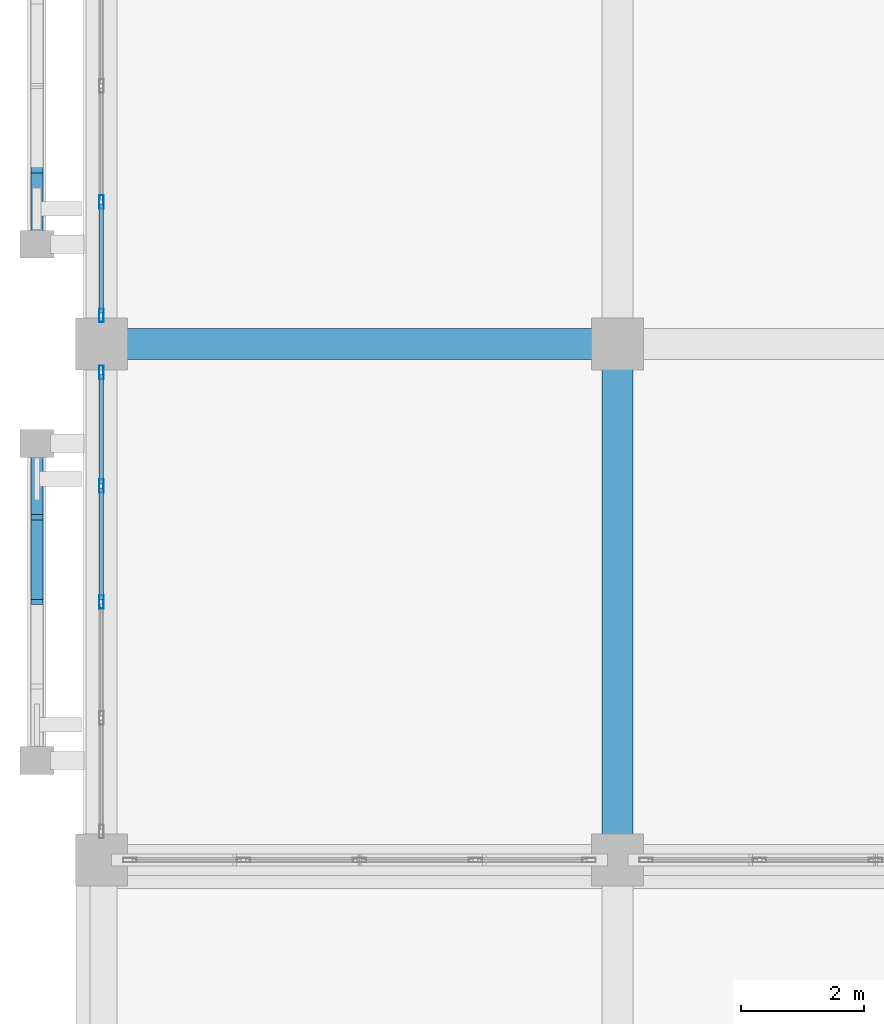
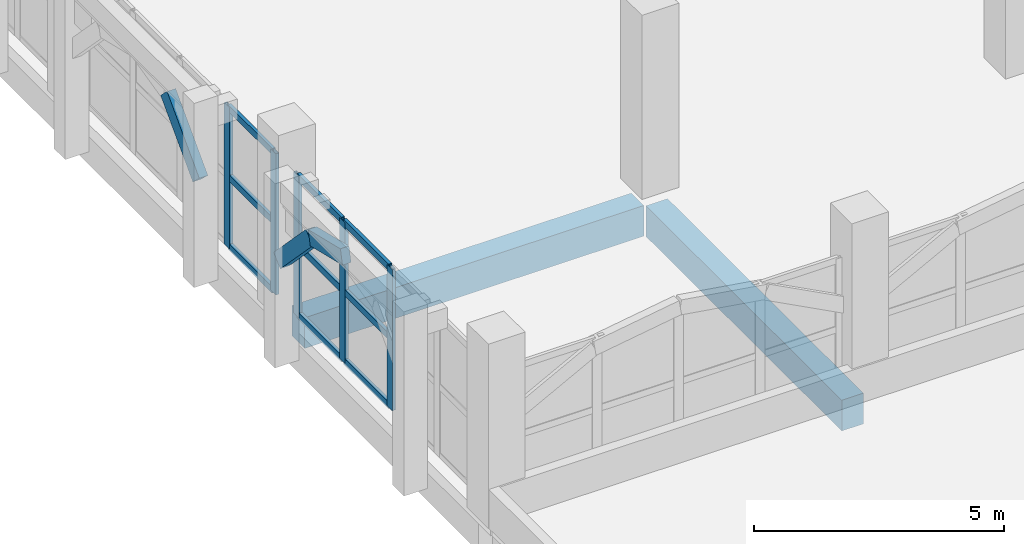
# One storey, part 40 of 129: 17 members, 2 beams, 2 elements without a shape of their own.
"""IFC4 building model written with IfcOpenShell, lengths in metres."""

from ifc_helpers import new_model, si_unit, direction, frame, origin, origin_2d, place, context, subcontext, project, spatial, rectangle, hollow_rectangle, extrude, material, layer, layer_set, material_profile, profile_set, type_object, element, aggregate, save


model = new_model("IFC4")

# Units and contexts
model_context = context("Model", 3, precision=1e-05, world=origin(), true_north=direction((0.0, 1.0)))
body_context = subcontext(model_context, "Body", "Model", "MODEL_VIEW")
ifc_project = project(units=[si_unit("LENGTHUNIT", "METRE"), si_unit("AREAUNIT", "SQUARE_METRE"), si_unit("VOLUMEUNIT", "CUBIC_METRE"), si_unit("PLANEANGLEUNIT", "RADIAN"), si_unit("MASSUNIT", "GRAM", prefix="KILO")], contexts=[model_context])

# Site, building, storey
site_placement = place(None, origin())
site = spatial("IfcSite", under=ifc_project, at=site_placement, CompositionType="ELEMENT")
building_placement = place(site_placement, origin())
building = spatial("IfcBuilding", under=site, at=building_placement, Name="Xazarin Passage Department Store", CompositionType="ELEMENT")
storey_placement = place(building_placement, frame((0.0, 0.0, 9.89990234375)))
storey = spatial("IfcBuildingStorey", under=building, at=storey_placement, Name="L02", CompositionType="ELEMENT", Elevation=9.89990234375)

# Curtain wall, members
ifc_material_1 = material(Name="Bronze anodised aluminium", Category="aluminium")
ifc_layer = layer(ifc_material_1, 0.199951171875)
ifc_layer_set = layer_set([ifc_layer], Name="Bronze anodised aluminium")
curtain_wall_type = type_object("IfcCurtainWallType", Name="ARC-CW-VIT2", PredefinedType="NOTDEFINED", material=ifc_layer_set)
curtain_wall_1_placement = place(storey_placement, origin())
curtain_wall_1 = element("IfcCurtainWall", 1, at=curtain_wall_1_placement, inside=storey, type_object=curtain_wall_type, Name="L02 V1 Curtain Wall 045", PredefinedType="NOTDEFINED")
ifc_material_profile_1 = material_profile(ifc_material_1, hollow_rectangle(XDim=0.074951171875, YDim=0.219970703125, WallThickness=0.0048828125, at=origin_2d()), Name="ALU 75x220")
ifc_profile_set_1 = profile_set([ifc_material_profile_1], Name="Bronze anodised aluminium")
member_type_1 = type_object("IfcMemberType", Name="ARC-CWM-75x220", PredefinedType="MULLION", material=ifc_profile_set_1)
member_1_placement = place(storey_placement, frame((0.0, 63.800048828125, 0.0), z_axis=(0.0, 0.0, 1.0), x_axis=(-1.0, 0.0, 0.0)))
member_1 = element("IfcMember", 2, at=member_1_placement, type_object=member_type_1, Name="CW2 mullion 3", PredefinedType="MULLION", context=body_context, shape_type="SweptSolid", body=[
    extrude(hollow_rectangle(XDim=0.074951171875, YDim=0.219970703125, WallThickness=0.0048828125, at=origin_2d()), origin(), (0.0, 0.0, 1.0), 3.4501953125),
])
member_2_placement = place(storey_placement, frame((0.0, 65.6875, 0.0), z_axis=(0.0, 0.0, 1.0), x_axis=(-1.0, 0.0, 0.0)))
member_2 = element("IfcMember", 3, at=member_2_placement, type_object=member_type_1, Name="CW2 mullion 4", PredefinedType="MULLION", context=body_context, shape_type="SweptSolid", body=[
    extrude(hollow_rectangle(XDim=0.074951171875, YDim=0.219970703125, WallThickness=0.0048828125, at=origin_2d()), origin(), (0.0, 0.0, 1.0), 3.4501953125),
])
member_3_placement = place(storey_placement, frame((0.0, 67.53759765625, 0.0), z_axis=(0.0, 0.0, 1.0), x_axis=(-1.0, 0.0, 0.0)))
member_3 = element("IfcMember", 4, at=member_3_placement, type_object=member_type_1, Name="CW2 mullion 5", PredefinedType="MULLION", context=body_context, shape_type="SweptSolid", body=[
    extrude(hollow_rectangle(XDim=0.074951171875, YDim=0.219970703125, WallThickness=0.0048828125, at=origin_2d()), origin(), (0.0, 0.0, 1.0), 3.4501953125),
])

curtain_wall_2_placement = place(storey_placement, origin())
curtain_wall_2 = element("IfcCurtainWall", 5, at=curtain_wall_2_placement, inside=storey, type_object=curtain_wall_type, Name="L02 V1 Curtain Wall 046", PredefinedType="NOTDEFINED")
member_4_placement = place(storey_placement, frame((0.0, 68.46240234375, 0.0), z_axis=(0.0, 0.0, 1.0), x_axis=(-1.0, 0.0, 0.0)))
member_4 = element("IfcMember", 6, at=member_4_placement, type_object=member_type_1, Name="CW2 mullion 1", PredefinedType="MULLION", context=body_context, shape_type="SweptSolid", body=[
    extrude(hollow_rectangle(XDim=0.074951171875, YDim=0.219970703125, WallThickness=0.0048828125, at=origin_2d()), origin(), (0.0, 0.0, 1.0), 3.4501953125),
])
member_5_placement = place(storey_placement, frame((0.0, 70.3125, 0.0), z_axis=(0.0, 0.0, 1.0), x_axis=(-1.0, 0.0, 0.0)))
member_5 = element("IfcMember", 7, at=member_5_placement, type_object=member_type_1, Name="CW2 mullion 2", PredefinedType="MULLION", context=body_context, shape_type="SweptSolid", body=[
    extrude(hollow_rectangle(XDim=0.074951171875, YDim=0.219970703125, WallThickness=0.0048828125, at=origin_2d()), origin(), (0.0, 0.0, 1.0), 3.4501953125),
])

# Member
ifc_material_profile_2 = material_profile(ifc_material_1, hollow_rectangle(XDim=0.074951171875, YDim=0.159912109375, WallThickness=0.00439453125, at=origin_2d()), Name="ALU 75x160")
ifc_profile_set_2 = profile_set([ifc_material_profile_2], Name="Bronze anodised aluminium")
member_type_2 = type_object("IfcMemberType", Name="ARC-CWT-75x160", PredefinedType="USERDEFINED", material=ifc_profile_set_2)
member_6_placement = place(storey_placement, frame((0.0, 63.83740234375, 0.03759765625), z_axis=(0.0, 1.0, 0.0), x_axis=(-1.0, 0.0, 0.0)))
member_6 = element("IfcMember", 8, at=member_6_placement, type_object=member_type_2, Name="CW2 transom 3.1", ObjectType="TRANSOM", PredefinedType="USERDEFINED", context=body_context, shape_type="SweptSolid", body=[
    extrude(hollow_rectangle(XDim=0.074951171875, YDim=0.159912109375, WallThickness=0.00439453125, at=origin_2d()), origin(), (0.0, 0.0, 1.0), 1.8125),
])

member_7_placement = place(storey_placement, frame((0.0, 63.83740234375, 1.72509765625), z_axis=(0.0, 1.0, 0.0), x_axis=(-1.0, 0.0, 0.0)))
member_7 = element("IfcMember", 9, at=member_7_placement, type_object=member_type_2, Name="CW2 transom 3.2", ObjectType="TRANSOM", PredefinedType="USERDEFINED", context=body_context, shape_type="SweptSolid", body=[
    extrude(hollow_rectangle(XDim=0.074951171875, YDim=0.159912109375, WallThickness=0.00439453125, at=origin_2d()), origin(), (0.0, 0.0, 1.0), 1.8125),
])

member_8_placement = place(storey_placement, frame((0.0, 63.83740234375, 3.41259765625), z_axis=(0.0, 1.0, 0.0), x_axis=(-1.0, 0.0, 0.0)))
member_8 = element("IfcMember", 10, at=member_8_placement, type_object=member_type_2, Name="CW2 transom 3.3", ObjectType="TRANSOM", PredefinedType="USERDEFINED", context=body_context, shape_type="SweptSolid", body=[
    extrude(hollow_rectangle(XDim=0.074951171875, YDim=0.159912109375, WallThickness=0.00439453125, at=origin_2d()), origin(), (0.0, 0.0, 1.0), 1.8125),
])

member_9_placement = place(storey_placement, frame((0.0, 65.72509765625, 0.03759765625), z_axis=(0.0, 1.0, 0.0), x_axis=(-1.0, 0.0, 0.0)))
member_9 = element("IfcMember", 11, at=member_9_placement, type_object=member_type_2, Name="CW2 transom 4.1", ObjectType="TRANSOM", PredefinedType="USERDEFINED", context=body_context, shape_type="SweptSolid", body=[
    extrude(hollow_rectangle(XDim=0.074951171875, YDim=0.159912109375, WallThickness=0.00439453125, at=origin_2d()), origin(), (0.0, 0.0, 1.0), 1.77490234375),
])

member_10_placement = place(storey_placement, frame((0.0, 65.72509765625, 1.72509765625), z_axis=(0.0, 1.0, 0.0), x_axis=(-1.0, 0.0, 0.0)))
member_10 = element("IfcMember", 12, at=member_10_placement, type_object=member_type_2, Name="CW2 transom 4.2", ObjectType="TRANSOM", PredefinedType="USERDEFINED", context=body_context, shape_type="SweptSolid", body=[
    extrude(hollow_rectangle(XDim=0.074951171875, YDim=0.159912109375, WallThickness=0.00439453125, at=origin_2d()), origin(), (0.0, 0.0, 1.0), 1.77490234375),
])

member_11_placement = place(storey_placement, frame((0.0, 65.72509765625, 3.41259765625), z_axis=(0.0, 1.0, 0.0), x_axis=(-1.0, 0.0, 0.0)))
member_11 = element("IfcMember", 13, at=member_11_placement, type_object=member_type_2, Name="CW2 transom 4.3", ObjectType="TRANSOM", PredefinedType="USERDEFINED", context=body_context, shape_type="SweptSolid", body=[
    extrude(hollow_rectangle(XDim=0.074951171875, YDim=0.159912109375, WallThickness=0.00439453125, at=origin_2d()), origin(), (0.0, 0.0, 1.0), 1.77490234375),
])

aggregate(curtain_wall_1, [member_1, member_2, member_3, member_6, member_7, member_8, member_9, member_10, member_11])

member_12_placement = place(storey_placement, frame((0.0, 68.5, 0.03759765625), z_axis=(0.0, 1.0, 0.0), x_axis=(-1.0, 0.0, 0.0)))
member_12 = element("IfcMember", 14, at=member_12_placement, type_object=member_type_2, Name="CW2 transom 1.1", ObjectType="TRANSOM", PredefinedType="USERDEFINED", context=body_context, shape_type="SweptSolid", body=[
    extrude(hollow_rectangle(XDim=0.074951171875, YDim=0.159912109375, WallThickness=0.00439453125, at=origin_2d()), origin(), (0.0, 0.0, 1.0), 1.77490234375),
])

member_13_placement = place(storey_placement, frame((0.0, 68.5, 1.72509765625), z_axis=(0.0, 1.0, 0.0), x_axis=(-1.0, 0.0, 0.0)))
member_13 = element("IfcMember", 15, at=member_13_placement, type_object=member_type_2, Name="CW2 transom 1.2", ObjectType="TRANSOM", PredefinedType="USERDEFINED", context=body_context, shape_type="SweptSolid", body=[
    extrude(hollow_rectangle(XDim=0.074951171875, YDim=0.159912109375, WallThickness=0.00439453125, at=origin_2d()), origin(), (0.0, 0.0, 1.0), 1.77490234375),
])

member_14_placement = place(storey_placement, frame((0.0, 68.5, 3.41259765625), z_axis=(0.0, 1.0, 0.0), x_axis=(-1.0, 0.0, 0.0)))
member_14 = element("IfcMember", 16, at=member_14_placement, type_object=member_type_2, Name="CW2 transom 1.3", ObjectType="TRANSOM", PredefinedType="USERDEFINED", context=body_context, shape_type="SweptSolid", body=[
    extrude(hollow_rectangle(XDim=0.074951171875, YDim=0.159912109375, WallThickness=0.00439453125, at=origin_2d()), origin(), (0.0, 0.0, 1.0), 1.77490234375),
])

aggregate(curtain_wall_2, [member_4, member_5, member_12, member_13, member_14])

# Beams
ifc_material_2 = material(Name="Concrete C35/45", Category="concrete")
ifc_material_profile_3 = material_profile(ifc_material_2, rectangle(XDim=0.5, YDim=0.75, at=origin_2d()), Name="RC 500x750")
ifc_profile_set_3 = profile_set([ifc_material_profile_3], Name="Concrete C35/45")
beam_type = type_object("IfcBeamType", Name="STR-BM-SP500x750", PredefinedType="SPANDREL", material=ifc_profile_set_3)
for number, where, z_axis, x_axis, name in (
    (17, (0.280029296875, 68.0, -0.6748046875), (1.0, 0.0, 0.0), (0.0, 1.0, 0.0), "L02 Grid Beam K/1-2"),
    (18, (8.39990234375, 59.8798828125, -0.6748046875), (0.0, 1.0, 0.0), (-1.0, 0.0, 0.0), "L02 Grid Beam 2/J-K"),
):
    element("IfcBeam", number, at=place(storey_placement, frame(where, z_axis=z_axis, x_axis=x_axis)), inside=storey, type_object=beam_type, Name=name, PredefinedType="SPANDREL", context=body_context, shape_type="SweptSolid", body=[
        extrude(rectangle(XDim=0.5, YDim=0.75, at=origin_2d()), origin(), (0.0, 0.0, 1.0), 7.840087890625),
    ])

# Members
ifc_material_3 = material(Name="Concrete C40/50", Category="concrete")
ifc_material_profile_4 = material_profile(ifc_material_3, rectangle(XDim=0.199951171875, YDim=0.360107421875, at=origin_2d()), Name="RC 200x360")
ifc_profile_set_4 = profile_set([ifc_material_profile_4], Name="Concrete C40/50")
member_type_3 = type_object("IfcMemberType", Name="STR-MEM-ARC360", PredefinedType="CHORD", material=ifc_profile_set_4)
member_15_placement = place(storey_placement, frame((-1.050048828125, 63.800048828125, 4.080078125), z_axis=(0.0, 0.972393983317, -0.233345111818), x_axis=(-1.0, 0.0, 0.0)))
element("IfcMember", 19, at=member_15_placement, inside=storey, type_object=member_type_3, Name="L02 V1 Pierced Lattice Curved Arch 009.3", PredefinedType="CHORD", context=body_context, shape_type="SweptSolid", body=[
    extrude(rectangle(XDim=0.199951171875, YDim=0.360107421875, at=origin_2d()), origin(), (0.0, 0.0, 1.0), 1.32666015625),
])
for number, where, z_axis, x_axis, name in (
    (20, (-1.050048828125, 65.090087890625, 3.7705078125), (0.0, 0.693391944082, -0.720560623322), (-1.0, 0.0, 0.0), "L02 V1 Pierced Lattice Curved Arch 009.4"),
    (21, (-1.050048828125, 69.6201171875, 2.43017578125), (0.0, 0.693391944082, 0.720560623322), (-1.0, 0.0, 0.0), "L02 V1 Pierced Lattice Curved Arch 010.1"),
):
    element("IfcMember", number, at=place(storey_placement, frame(where, z_axis=z_axis, x_axis=x_axis)), inside=storey, type_object=member_type_3, Name=name, PredefinedType="CHORD", context=body_context, shape_type="SweptSolid", body=[
        extrude(rectangle(XDim=0.199951171875, YDim=0.360107421875, at=origin_2d()), origin(), (0.0, 0.0, 1.0), 1.860107421875),
    ])

save(model, "model.ifc")
